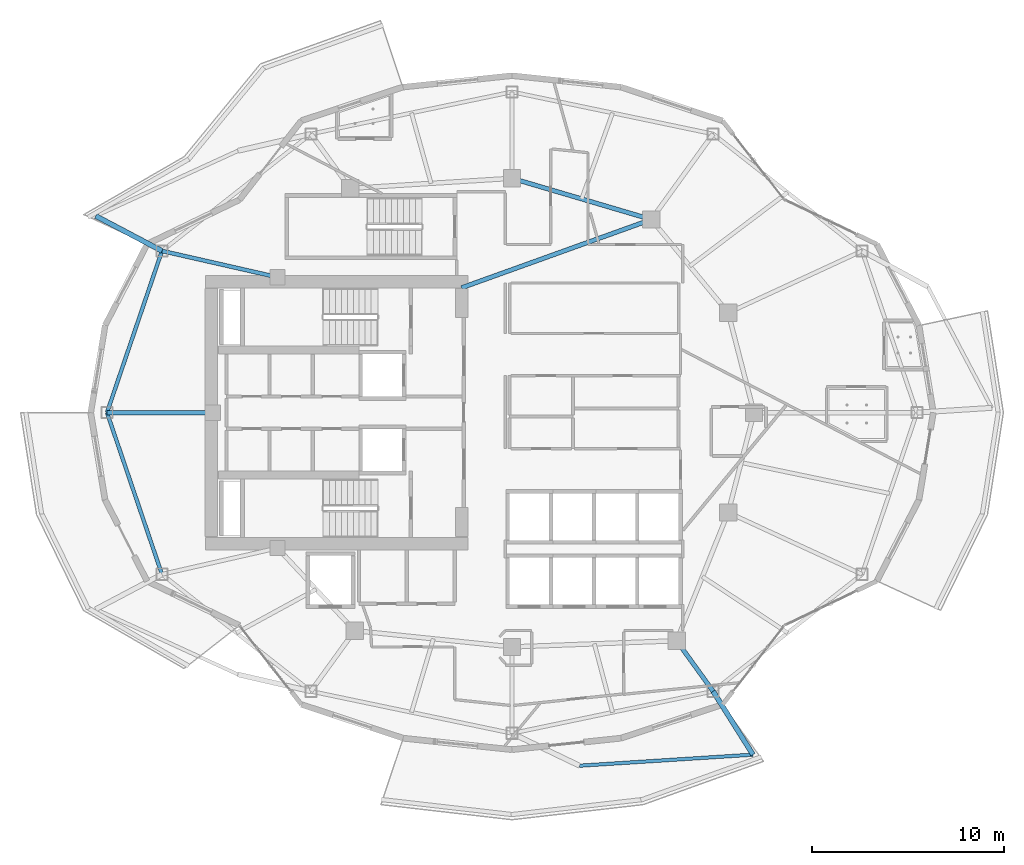
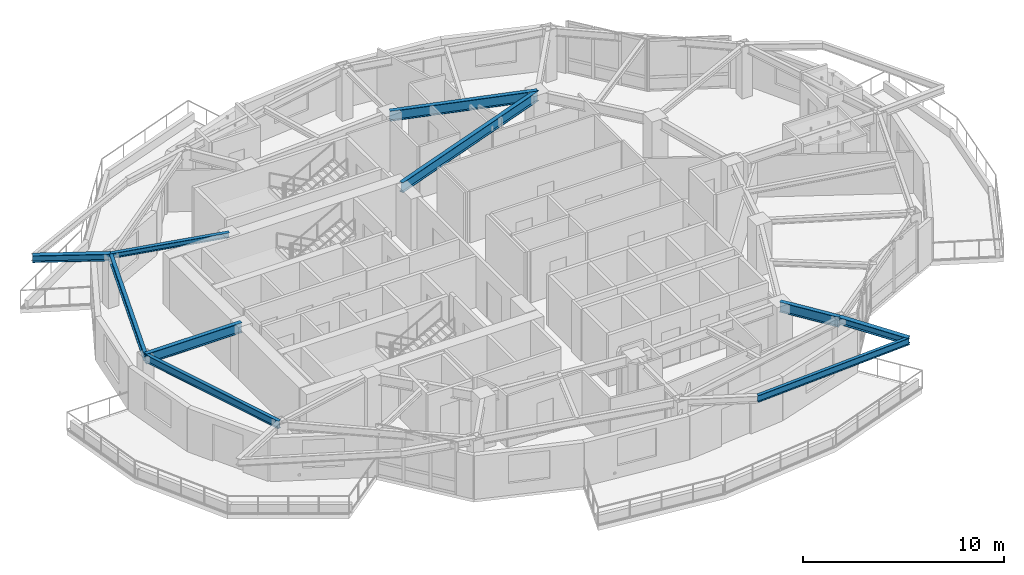
# One storey, part 3 of 18: 10 beams.
"""IFC4 building model written with IfcOpenShell, lengths in metres."""

from ifc_helpers import new_model, si_unit, direction, frame, origin, origin_2d, place, context, subcontext, project, spatial, i_section, extrude, material, material_profile, profile_set, type_object, element, save


model = new_model("IFC4")

# Units and contexts
model_context = context("Model", 3, precision=1e-05, world=origin(), true_north=direction((0.0, 1.0)))
body_context = subcontext(model_context, "Body", "Model", "MODEL_VIEW")
ifc_project = project(units=[si_unit("LENGTHUNIT", "METRE"), si_unit("AREAUNIT", "SQUARE_METRE"), si_unit("VOLUMEUNIT", "CUBIC_METRE"), si_unit("PLANEANGLEUNIT", "RADIAN"), si_unit("MASSUNIT", "GRAM", prefix="KILO")], contexts=[model_context])

# Site, building, storey
site_placement = place(None, origin())
site = spatial("IfcSite", under=ifc_project, at=site_placement, CompositionType="ELEMENT")
building_placement = place(site_placement, origin())
building = spatial("IfcBuilding", under=site, at=building_placement, Name="Kolvaren Gate Tower and Convention Centre", CompositionType="ELEMENT")
storey_placement = place(building_placement, frame((0.0, 0.0, 176.699951171875)))
storey = spatial("IfcBuildingStorey", under=building, at=storey_placement, Name="L46", CompositionType="ELEMENT", Elevation=176.699951171875)

# Beams
ifc_material = material(Name="Structural steel ASTM A992 Grade 345 MPa", Category="steel")
ifc_material_profile_1 = material_profile(ifc_material, i_section(OverallWidth=0.260009765625, OverallDepth=0.419921875, WebThickness=0.013427734375, FlangeThickness=0.0224609375, at=origin_2d()), Name="W410X132")
ifc_profile_set_1 = profile_set([ifc_material_profile_1], Name="Structural steel ASTM A992 Grade 345 MPa")
beam_type_1 = type_object("IfcBeamType", Name="STR-BM-W410X132", PredefinedType="BEAM", material=ifc_profile_set_1)
beam_1_placement = place(storey_placement, frame((11.898193359375, 35.418701171875, 2.920654296875), z_axis=(-0.884317267836, 0.466886463508, 0.0), x_axis=(-0.466886463508, -0.884317267836, 0.0)))
element("IfcBeam", 1, at=beam_1_placement, inside=storey, type_object=beam_type_1, Name="Tower L47 Planted Balcony Outrigger Cantilever BC-1B", PredefinedType="BEAM", context=body_context, shape_type="SweptSolid", body=[
    extrude(i_section(OverallWidth=0.260009765625, OverallDepth=0.419921875, WebThickness=0.013427734375, FlangeThickness=0.0224609375, at=origin_2d()), origin(), (0.0, 0.0, 1.0), 3.89990234375),
])
beam_2_placement = place(storey_placement, frame((40.596435546875, 12.490478515625, 2.920654296875), z_axis=(0.532635592703, -0.846344684739, 0.0), x_axis=(0.846344684739, 0.532635592703, 0.0)))
element("IfcBeam", 2, at=beam_2_placement, inside=storey, type_object=beam_type_1, Name="Tower L47 Planted Balcony Outrigger Cantilever BC-3B", PredefinedType="BEAM", context=body_context, shape_type="SweptSolid", body=[
    extrude(i_section(OverallWidth=0.260009765625, OverallDepth=0.419921875, WebThickness=0.013427734375, FlangeThickness=0.0224609375, at=origin_2d()), origin(), (0.0, 0.0, 1.0), 3.899658203125),
])
ifc_material_profile_2 = material_profile(ifc_material, i_section(OverallWidth=0.22998046875, OverallDepth=0.616943359375, WebThickness=0.01318359375, FlangeThickness=0.022216796875, at=origin_2d()), Name="W610X140")
ifc_profile_set_2 = profile_set([ifc_material_profile_2], Name="Structural steel ASTM A992 Grade 345 MPa")
beam_type_2 = type_object("IfcBeamType", Name="STR-BM-W610X140", PredefinedType="BEAM", material=ifc_profile_set_2)
beam_3_placement = place(storey_placement, frame((37.381591796875, 37.054931640625, 2.821533203125), z_axis=(-0.958980837827, 0.283470902706, 0.0), x_axis=(-0.283470902706, -0.958980837827, 0.0)))
element("IfcBeam", 3, at=beam_3_placement, inside=storey, type_object=beam_type_2, Name="Tower L46 Primary Ring Girder G-03", PredefinedType="BEAM", context=body_context, shape_type="SweptSolid", body=[
    extrude(i_section(OverallWidth=0.22998046875, OverallDepth=0.616943359375, WebThickness=0.01318359375, FlangeThickness=0.022216796875, at=origin_2d()), origin(), (0.0, 0.0, 1.0), 7.56689453125),
])
beam_4_placement = place(storey_placement, frame((27.5, 33.5, 2.821533203125), z_axis=(0.940961479908, 0.338513653093, 0.0), x_axis=(-0.338513653093, 0.940961479908, 0.0)))
element("IfcBeam", 4, at=beam_4_placement, inside=storey, type_object=beam_type_2, Name="Tower L46 Primary Ring Girder G-10", PredefinedType="BEAM", context=body_context, shape_type="SweptSolid", body=[
    extrude(i_section(OverallWidth=0.22998046875, OverallDepth=0.616943359375, WebThickness=0.01318359375, FlangeThickness=0.022216796875, at=origin_2d()), origin(), (0.0, 0.0, 1.0), 10.501708984375),
])
beam_5_placement = place(storey_placement, frame((14.550048828125, 27.0, 2.821533203125), z_axis=(-1.0, 0.0, 0.0), x_axis=(0.0, -1.0, 0.0)))
element("IfcBeam", 5, at=beam_5_placement, inside=storey, type_object=beam_type_2, Name="Tower L46 Radial Floor Girder RB-07", PredefinedType="BEAM", context=body_context, shape_type="SweptSolid", body=[
    extrude(i_section(OverallWidth=0.22998046875, OverallDepth=0.616943359375, WebThickness=0.01318359375, FlangeThickness=0.022216796875, at=origin_2d()), origin(), (0.0, 0.0, 1.0), 5.512451171875),
])
beam_6_placement = place(storey_placement, frame((38.6982421875, 15.12060546875, 2.821533203125), z_axis=(0.58521845229, -0.810875676722, 0.0), x_axis=(0.810875676722, 0.58521845229, 0.0)))
element("IfcBeam", 6, at=beam_6_placement, inside=storey, type_object=beam_type_2, Name="Tower L46 Radial Floor Girder RB-11", PredefinedType="BEAM", context=body_context, shape_type="SweptSolid", body=[
    extrude(i_section(OverallWidth=0.22998046875, OverallDepth=0.616943359375, WebThickness=0.01318359375, FlangeThickness=0.022216796875, at=origin_2d()), origin(), (0.0, 0.0, 1.0), 3.24365234375),
])
ifc_material_profile_3 = material_profile(ifc_material, i_section(OverallWidth=0.205078125, OverallDepth=0.31005859375, WebThickness=0.009521484375, FlangeThickness=0.016357421875, at=origin_2d()), Name="W310X74")
ifc_profile_set_3 = profile_set([ifc_material_profile_3], Name="Structural steel ASTM A992 Grade 345 MPa")
beam_type_3 = type_object("IfcBeamType", Name="STR-JS-W310X74", PredefinedType="JOIST", material=ifc_profile_set_3)
beam_7_placement = place(storey_placement, frame((17.9140625, 34.050048828125, 2.97509765625), z_axis=(-0.975083464295, 0.221838314226, 0.0), x_axis=(-0.221838314226, -0.975083464295, 0.0)))
element("IfcBeam", 7, at=beam_7_placement, inside=storey, type_object=beam_type_3, Name="Tower L46 Radial Floor Girder RB-06", PredefinedType="JOIST", context=body_context, shape_type="SweptSolid", body=[
    extrude(i_section(OverallWidth=0.205078125, OverallDepth=0.31005859375, WebThickness=0.009521484375, FlangeThickness=0.016357421875, at=origin_2d()), origin(), (0.0, 0.0, 1.0), 6.169677734375),
])
ifc_material_profile_4 = material_profile(ifc_material, i_section(OverallWidth=0.180908203125, OverallDepth=0.4169921875, WebThickness=0.010986328125, FlangeThickness=0.018310546875, at=origin_2d()), Name="W410X85")
ifc_profile_set_4 = profile_set([ifc_material_profile_4], Name="Structural steel ASTM A992 Grade 345 MPa")
beam_type_4 = type_object("IfcBeamType", Name="STR-SP-W410X85", PredefinedType="SPANDREL", material=ifc_profile_set_4)
beam_8_placement = place(storey_placement, frame((33.641845703125, 8.614013671875, 2.922119140625), z_axis=(0.997973058085, 0.063637845165, 0.0), x_axis=(-0.063637845165, 0.997973058085, 0.0)))
element("IfcBeam", 8, at=beam_8_placement, inside=storey, type_object=beam_type_4, Name="Tower L47 Planted Balcony Header Tie Beam BT-3", PredefinedType="SPANDREL", context=body_context, shape_type="SweptSolid", body=[
    extrude(i_section(OverallWidth=0.180908203125, OverallDepth=0.4169921875, WebThickness=0.010986328125, FlangeThickness=0.018310546875, at=origin_2d()), origin(), (0.0, 0.0, 1.0), 9.050048828125),
])
ifc_material_profile_5 = material_profile(ifc_material, i_section(OverallWidth=0.194091796875, OverallDepth=0.468994140625, WebThickness=0.0126953125, FlangeThickness=0.0205078125, at=origin_2d()), Name="W460X106")
ifc_profile_set_5 = profile_set([ifc_material_profile_5], Name="Structural steel ASTM A992 Grade 345 MPa")
beam_type_5 = type_object("IfcBeamType", Name="STR-SP-W460X106", PredefinedType="SPANDREL", material=ifc_profile_set_5)
for number, where, z_axis, x_axis, name in (
    (9, (11.898193359375, 35.418701171875, 2.8955078125), (-0.321725023609, -0.946833147489, 0.0), (0.946833147489, -0.321725023609, 0.0), "Tower L46 Perimeter Spandrel Beam SP-06"),
    (10, (9.03759765625, 27.0, 2.8955078125), (0.321725023609, -0.946833147489, 0.0), (0.946833147489, 0.321725023609, 0.0), "Tower L46 Perimeter Spandrel Beam SP-07"),
):
    element("IfcBeam", number, at=place(storey_placement, frame(where, z_axis=z_axis, x_axis=x_axis)), inside=storey, type_object=beam_type_5, Name=name, PredefinedType="SPANDREL", context=body_context, shape_type="SweptSolid", body=[
        extrude(i_section(OverallWidth=0.194091796875, OverallDepth=0.468994140625, WebThickness=0.0126953125, FlangeThickness=0.0205078125, at=origin_2d()), origin(), (0.0, 0.0, 1.0), 8.891357421875),
    ])

save(model, "model.ifc")
